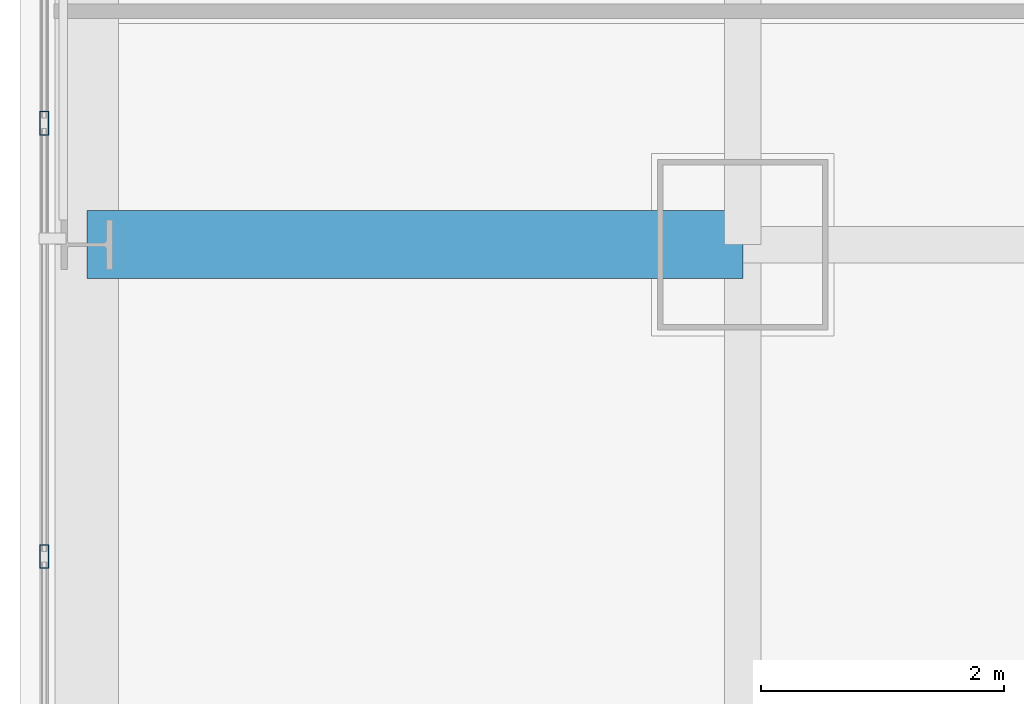
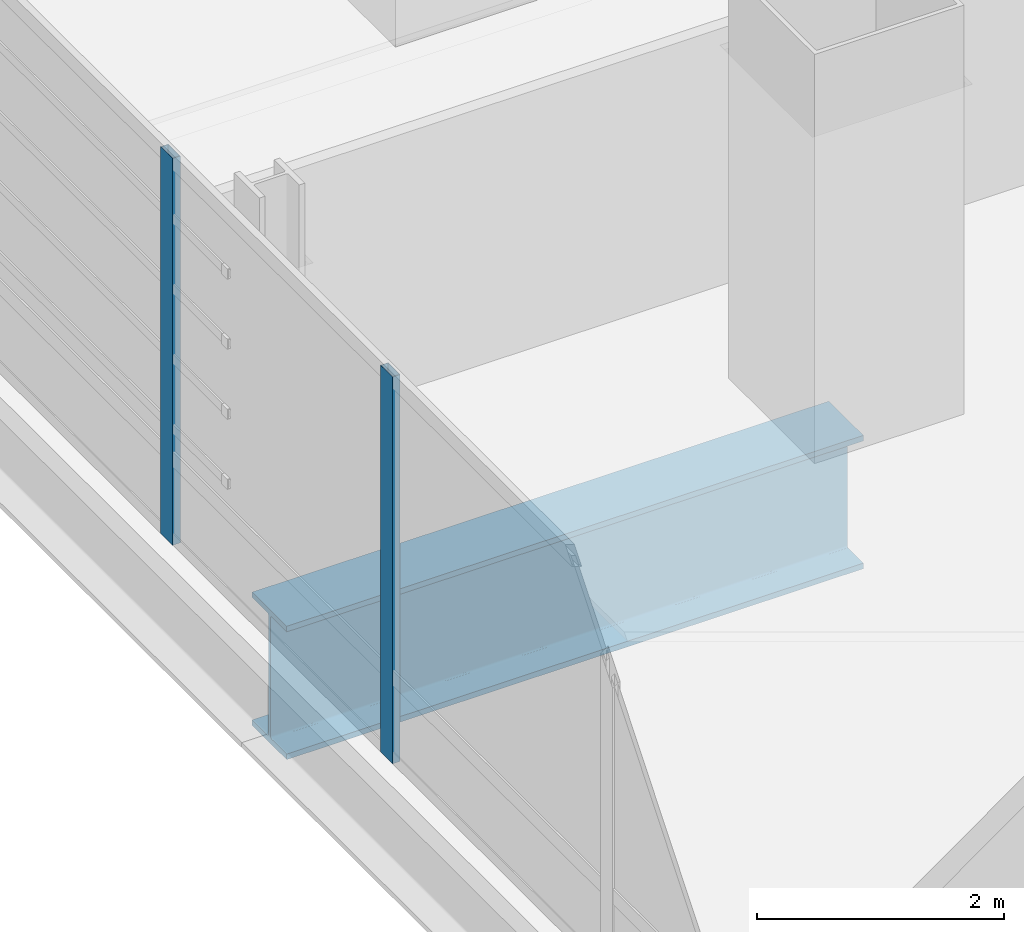
# One storey, part 9 of 36: 2 members, 1 beam, 1 element without a shape of its own.
"""IFC4 building model written with IfcOpenShell, lengths in metres."""

from ifc_helpers import new_model, si_unit, direction, frame, origin, origin_2d, place, context, subcontext, project, spatial, hollow_rectangle, i_section, extrude, material, material_profile, profile_set, type_object, element, aggregate, save


model = new_model("IFC4")

# Units and contexts
model_context = context("Model", 3, precision=1e-05, world=origin(), true_north=direction((0.0, 1.0)))
body_context = subcontext(model_context, "Body", "Model", "MODEL_VIEW")
ifc_project = project(units=[si_unit("LENGTHUNIT", "METRE"), si_unit("AREAUNIT", "SQUARE_METRE"), si_unit("VOLUMEUNIT", "CUBIC_METRE"), si_unit("PLANEANGLEUNIT", "RADIAN"), si_unit("MASSUNIT", "GRAM", prefix="KILO")], contexts=[model_context])

# Site, building, storey
site_placement = place(None, origin())
site = spatial("IfcSite", under=ifc_project, at=site_placement, CompositionType="ELEMENT")
building_placement = place(site_placement, origin())
building = spatial("IfcBuilding", under=site, at=building_placement, Name="Punatoya Terracotta Tower", CompositionType="ELEMENT")
storey_placement = place(building_placement, frame((0.0, 0.0, 180.300048828125)))
storey = spatial("IfcBuildingStorey", under=building, at=storey_placement, Name="L42", CompositionType="ELEMENT", Elevation=180.300048828125)

# Beam
ifc_material_1 = material(Name="Steel S460", Category="steel")
ifc_material_profile_1 = material_profile(ifc_material_1, i_section(OverallWidth=0.56005859375, OverallDepth=1.320068359375, WebThickness=0.035888671875, FlangeThickness=0.054931640625, FilletRadius=0.01806640625, at=origin_2d()))
ifc_profile_set_1 = profile_set([ifc_material_profile_1], Name="Steel S460")
beam_type = type_object("IfcBeamType", Name="BM-TG-BLK", PredefinedType="BEAM", material=ifc_profile_set_1)
beam_placement = place(storey_placement, frame((-24.5, -3.39990234375, -0.880126953125), z_axis=(1.0, 0.0, 0.0), x_axis=(0.0, 1.0, 0.0)))
element("IfcBeam", 1, at=beam_placement, inside=storey, type_object=beam_type, Name="BM-L42-CANT-W2", PredefinedType="BEAM", context=body_context, shape_type="SweptSolid", body=[
    extrude(i_section(OverallWidth=0.56005859375, OverallDepth=1.320068359375, WebThickness=0.035888671875, FlangeThickness=0.054931640625, FilletRadius=0.01806640625, at=origin_2d()), origin(), (0.0, 0.0, 1.0), 5.39990234375),
])

# Curtain wall, members
ifc_material_2 = material(Name="Aluminium 6063-T6 + Double Low-E Glass", Category="aluminium")
curtain_wall_type = type_object("IfcCurtainWallType", Name="CW-M2", PredefinedType="NOTDEFINED", material=ifc_material_2)
curtain_wall_placement = place(storey_placement, origin())
curtain_wall = element("IfcCurtainWall", 2, at=curtain_wall_placement, inside=storey, type_object=curtain_wall_type, Name="L42 Curtain Wall CW-L42-W13-1", PredefinedType="NOTDEFINED")
ifc_material_3 = material(Name="Aluminium 6063-T6", Category="aluminium")
ifc_material_profile_2 = material_profile(ifc_material_3, hollow_rectangle(XDim=0.072021484375, YDim=0.195068359375, WallThickness=0.00439453125, at=origin_2d()))
ifc_profile_set_2 = profile_set([ifc_material_profile_2], Name="Aluminium 6063-T6")
member_type = type_object("IfcMemberType", Name="CW-MUL-M2", PredefinedType="MULLION", material=ifc_profile_set_2)
member_1_placement = place(storey_placement, frame((-24.85009765625, -2.39990234375, 0.0), z_axis=(0.0, 0.0, 1.0), x_axis=(1.0, 0.0, 0.0)))
member_1 = element("IfcMember", 3, at=member_1_placement, type_object=member_type, Name="CW-L42-W13-1 Mullion 05", PredefinedType="MULLION", context=body_context, shape_type="SweptSolid", body=[
    extrude(hollow_rectangle(XDim=0.072021484375, YDim=0.195068359375, WallThickness=0.00439453125, at=origin_2d()), origin(), (0.0, 0.0, 1.0), 3.829833984375),
])
member_2_placement = place(storey_placement, frame((-24.85009765625, -5.96728515625, 0.0), z_axis=(0.0, 0.0, 1.0), x_axis=(1.0, 0.0, 0.0)))
member_2 = element("IfcMember", 4, at=member_2_placement, type_object=member_type, Name="CW-L42-W13-1 Mullion 06", PredefinedType="MULLION", context=body_context, shape_type="SweptSolid", body=[
    extrude(hollow_rectangle(XDim=0.072021484375, YDim=0.195068359375, WallThickness=0.00439453125, at=origin_2d()), origin(), (0.0, 0.0, 1.0), 3.829833984375),
])
aggregate(curtain_wall, [member_1, member_2])

save(model, "model.ifc")
